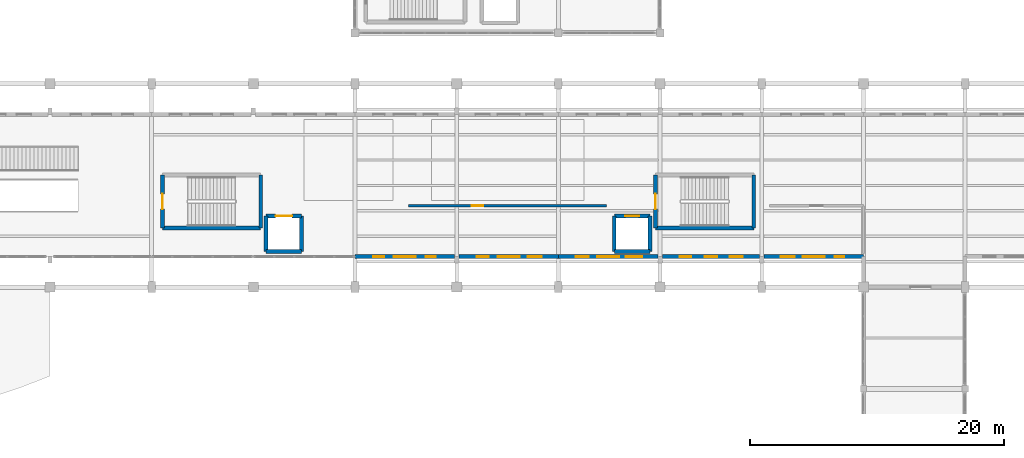
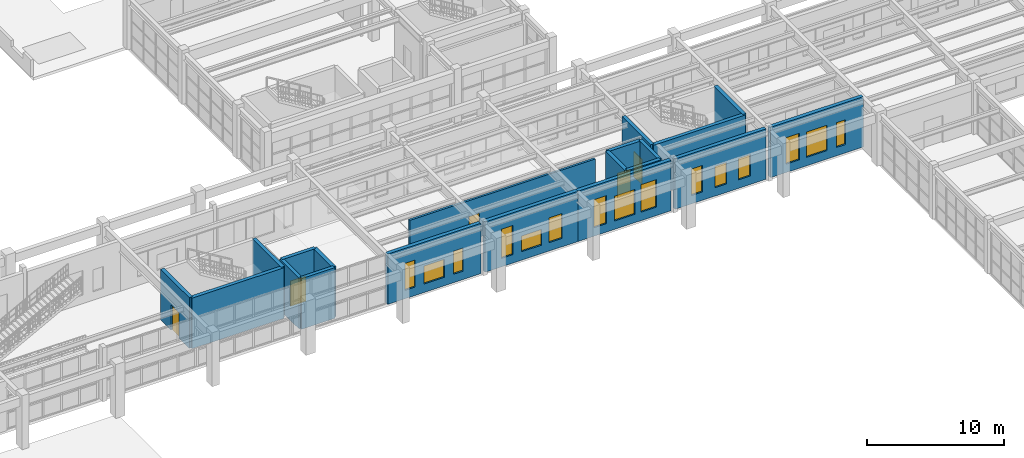
# One storey, part 41 of 59: 20 walls, 15 windows, 5 doors, 20 openings.
"""IFC4 building model written with IfcOpenShell, lengths in metres."""

from ifc_helpers import new_model, si_unit, direction, frame, frame_2d, origin, place, context, subcontext, project, spatial, rectangle, extrude, material, layer, layer_set, type_object, element, fill, save


model = new_model("IFC4")

# Units and contexts
model_context = context("Model", 3, precision=1e-05, world=origin(), true_north=direction((0.0, 1.0)))
body_context = subcontext(model_context, "Body", "Model", "MODEL_VIEW")
ifc_project = project(units=[si_unit("LENGTHUNIT", "METRE"), si_unit("AREAUNIT", "SQUARE_METRE"), si_unit("VOLUMEUNIT", "CUBIC_METRE"), si_unit("PLANEANGLEUNIT", "RADIAN"), si_unit("MASSUNIT", "GRAM", prefix="KILO")], contexts=[model_context])

# Site, building, storey
site_placement = place(None, origin())
site = spatial("IfcSite", under=ifc_project, at=site_placement, CompositionType="ELEMENT")
building_placement = place(site_placement, origin())
building = spatial("IfcBuilding", under=site, at=building_placement, Name="Serraluz Foothill Cableway Terminal", CompositionType="ELEMENT")
storey_placement = place(building_placement, frame((0.0, 0.0, 4.800048828125)))
storey = spatial("IfcBuildingStorey", under=building, at=storey_placement, Name="L01", CompositionType="ELEMENT", Elevation=4.800048828125)

# Wall, openings, windows
ifc_material_1 = material(Name="Dark clinker clay masonry brick (f'm 14 MPa)", Category="masonry")
ifc_layer_1 = layer(ifc_material_1, 0.320068359375, Name="Dark clinker clay masonry brick (f'm 14 MPa)", Category="masonry")
ifc_layer_set_1 = layer_set([ifc_layer_1], Name="Dark clinker clay masonry brick (f'm 14 MPa)")
wall_type_1 = type_object("IfcWallType", Name="TYP-WL-EXT-320", PredefinedType="STANDARD", material=ifc_layer_set_1)
wall_1_placement = place(storey_placement, frame((87.824951171875, 58.39990234375, 0.0), z_axis=(0.0, 0.0, 1.0), x_axis=(-1.0, 0.0, 0.0)))
wall_1 = element("IfcWall", 1, at=wall_1_placement, inside=storey, type_object=wall_type_1, Name="Exterior Masonry Wall EW-V1S-L01-80", PredefinedType="STANDARD", context=body_context, shape_type="SweptSolid", body=[
    extrude(rectangle(XDim=7.824951171875, YDim=0.320068359375, at=frame_2d((3.91259765625, 0.0))), origin(), (0.0, 0.0, 1.0), 4.474853515625),
])
opening_1_placement = place(wall_1_placement, frame((1.47802734375, 0.0, 0.75)))
opening_1 = element("IfcOpeningElement", 2, at=opening_1_placement, cuts=wall_1, Name="Opening W-36", PredefinedType="OPENING", context=body_context, shape_type="SweptSolid", body=[
    extrude(rectangle(XDim=0.800048828125, YDim=2.050048828125, at=frame_2d((0.39990234375, 1.02490234375))), frame((0.0, 0.169921875, 0.0), z_axis=(0.0, -1.0, 0.0), x_axis=(1.0, 0.0, 0.0)), (0.0, 0.0, 1.0), 0.340087890625),
])
opening_2_placement = place(wall_1_placement, frame((3.051513671875, 0.0, 0.75)))
opening_2 = element("IfcOpeningElement", 3, at=opening_2_placement, cuts=wall_1, Name="Opening W-13", PredefinedType="OPENING", context=body_context, shape_type="SweptSolid", body=[
    extrude(rectangle(XDim=1.721923828125, YDim=1.60009765625, at=frame_2d((0.86083984375, 0.800048828125))), frame((0.0, 0.169921875, 0.0), z_axis=(0.0, -1.0, 0.0), x_axis=(1.0, 0.0, 0.0)), (0.0, 0.0, 1.0), 0.340087890625),
])
opening_3_placement = place(wall_1_placement, frame((5.52197265625, 0.0, 0.75)))
opening_3 = element("IfcOpeningElement", 4, at=opening_3_placement, cuts=wall_1, Name="Opening W-02", PredefinedType="OPENING", context=body_context, shape_type="SweptSolid", body=[
    extrude(rectangle(XDim=0.85009765625, YDim=2.39990234375, at=frame_2d((0.425048828125, 1.199951171875))), frame((0.0, 0.169921875, 0.0), z_axis=(0.0, -1.0, 0.0), x_axis=(1.0, 0.0, 0.0)), (0.0, 0.0, 1.0), 0.340087890625),
])
ifc_material_2 = material(Name="Laminated low-E safety glass", Category="glass")
window_type_1 = type_object("IfcWindowType", Name="TYP-WN-080X205", PartitioningType="SINGLE_PANEL", PredefinedType="WINDOW", material=ifc_material_2)
window_1_placement = place(opening_1_placement, origin())
window_1 = element("IfcWindow", 5, at=window_1_placement, inside=storey, type_object=window_type_1, Name="Exterior Window EW-V1S-L01-80-WN1", OverallHeight=2.050048828125, OverallWidth=0.800048828125, PartitioningType="SINGLE_PANEL", PredefinedType="WINDOW", context=body_context, shape_type="SweptSolid", body=[
    extrude(rectangle(XDim=0.800048828125, YDim=2.050048828125, at=frame_2d((0.39990234375, 1.02490234375))), frame((0.0, 0.030029296875, 0.0), z_axis=(0.0, -1.0, 0.0), x_axis=(1.0, 0.0, 0.0)), (0.0, 0.0, 1.0), 0.06005859375),
])
fill(opening_1, window_1)
window_type_2 = type_object("IfcWindowType", Name="TYP-WN-085X240", PartitioningType="SINGLE_PANEL", PredefinedType="WINDOW", material=ifc_material_2)
window_2_placement = place(opening_3_placement, origin())
window_2 = element("IfcWindow", 6, at=window_2_placement, inside=storey, type_object=window_type_2, Name="Exterior Window EW-V1S-L01-80-WN3", OverallHeight=2.39990234375, OverallWidth=0.85009765625, PartitioningType="SINGLE_PANEL", PredefinedType="WINDOW", context=body_context, shape_type="SweptSolid", body=[
    extrude(rectangle(XDim=0.85009765625, YDim=2.39990234375, at=frame_2d((0.425048828125, 1.199951171875))), frame((0.0, 0.030029296875, 0.0), z_axis=(0.0, -1.0, 0.0), x_axis=(1.0, 0.0, 0.0)), (0.0, 0.0, 1.0), 0.06005859375),
])
fill(opening_3, window_2)
window_type_3 = type_object("IfcWindowType", Name="TYP-WN-240X160", PartitioningType="TRIPLE_PANEL_VERTICAL", PredefinedType="WINDOW", material=ifc_material_2)
window_3_placement = place(opening_2_placement, origin())
window_3 = element("IfcWindow", 7, at=window_3_placement, inside=storey, type_object=window_type_3, Name="Exterior Window EW-V1S-L01-80-WN2", OverallHeight=1.60009765625, OverallWidth=1.721923828125, PartitioningType="SINGLE_PANEL", PredefinedType="WINDOW", context=body_context, shape_type="SweptSolid", body=[
    extrude(rectangle(XDim=1.721923828125, YDim=1.60009765625, at=frame_2d((0.86083984375, 0.800048828125))), frame((0.0, 0.030029296875, 0.0), z_axis=(0.0, -1.0, 0.0), x_axis=(1.0, 0.0, 0.0)), (0.0, 0.0, 1.0), 0.06005859375),
])
fill(opening_2, window_3)

wall_2_placement = place(storey_placement, frame((96.0, 58.39990234375, 0.0), z_axis=(0.0, 0.0, 1.0), x_axis=(-1.0, 0.0, 0.0)))
wall_2 = element("IfcWall", 8, at=wall_2_placement, inside=storey, type_object=wall_type_1, Name="Exterior Masonry Wall EW-V1S-L01-88", PredefinedType="STANDARD", context=body_context, shape_type="SweptSolid", body=[
    extrude(rectangle(XDim=7.824951171875, YDim=0.320068359375, at=frame_2d((3.91259765625, 0.0))), origin(), (0.0, 0.0, 1.0), 4.474853515625),
])
opening_4_placement = place(wall_2_placement, frame((1.327880859375, 0.0, 0.75)))
opening_4 = element("IfcOpeningElement", 9, at=opening_4_placement, cuts=wall_2, Name="Opening W-04", PredefinedType="OPENING", context=body_context, shape_type="SweptSolid", body=[
    extrude(rectangle(XDim=1.10009765625, YDim=2.199951171875, at=frame_2d((0.550048828125, 1.10009765625))), frame((0.0, 0.169921875, 0.0), z_axis=(0.0, -1.0, 0.0), x_axis=(1.0, 0.0, 0.0)), (0.0, 0.0, 1.0), 0.340087890625),
])
opening_5_placement = place(wall_2_placement, frame((3.051513671875, 0.0, 0.75)))
opening_5 = element("IfcOpeningElement", 10, at=opening_5_placement, cuts=wall_2, Name="Opening W-16", PredefinedType="OPENING", context=body_context, shape_type="SweptSolid", body=[
    extrude(rectangle(XDim=1.721923828125, YDim=1.39990234375, at=frame_2d((0.86083984375, 0.699951171875))), frame((0.0, 0.169921875, 0.0), z_axis=(0.0, -1.0, 0.0), x_axis=(1.0, 0.0, 0.0)), (0.0, 0.0, 1.0), 0.340087890625),
])
opening_6_placement = place(wall_2_placement, frame((5.471923828125, 0.0, 0.75)))
opening_6 = element("IfcOpeningElement", 11, at=opening_6_placement, cuts=wall_2, Name="Opening W-03", PredefinedType="OPENING", context=body_context, shape_type="SweptSolid", body=[
    extrude(rectangle(XDim=0.949951171875, YDim=2.60009765625, at=frame_2d((0.47509765625, 1.300048828125))), frame((0.0, 0.169921875, 0.0), z_axis=(0.0, -1.0, 0.0), x_axis=(1.0, 0.0, 0.0)), (0.0, 0.0, 1.0), 0.340087890625),
])
window_type_4 = type_object("IfcWindowType", Name="TYP-WN-095X260", PartitioningType="SINGLE_PANEL", PredefinedType="WINDOW", material=ifc_material_2)
window_4_placement = place(opening_6_placement, origin())
window_4 = element("IfcWindow", 12, at=window_4_placement, inside=storey, type_object=window_type_4, Name="Exterior Window EW-V1S-L01-88-WN3", OverallHeight=2.60009765625, OverallWidth=0.949951171875, PartitioningType="SINGLE_PANEL", PredefinedType="WINDOW", context=body_context, shape_type="SweptSolid", body=[
    extrude(rectangle(XDim=0.949951171875, YDim=2.60009765625, at=frame_2d((0.47509765625, 1.300048828125))), frame((0.0, 0.030029296875, 0.0), z_axis=(0.0, -1.0, 0.0), x_axis=(1.0, 0.0, 0.0)), (0.0, 0.0, 1.0), 0.06005859375),
])
fill(opening_6, window_4)
window_type_5 = type_object("IfcWindowType", Name="TYP-WN-110X220", PartitioningType="SINGLE_PANEL", PredefinedType="WINDOW", material=ifc_material_2)
window_5_placement = place(opening_4_placement, origin())
window_5 = element("IfcWindow", 13, at=window_5_placement, inside=storey, type_object=window_type_5, Name="Exterior Window EW-V1S-L01-88-WN1", OverallHeight=2.199951171875, OverallWidth=1.10009765625, PartitioningType="SINGLE_PANEL", PredefinedType="WINDOW", context=body_context, shape_type="SweptSolid", body=[
    extrude(rectangle(XDim=1.10009765625, YDim=2.199951171875, at=frame_2d((0.550048828125, 1.10009765625))), frame((0.0, 0.030029296875, 0.0), z_axis=(0.0, -1.0, 0.0), x_axis=(1.0, 0.0, 0.0)), (0.0, 0.0, 1.0), 0.06005859375),
])
fill(opening_4, window_5)
window_type_6 = type_object("IfcWindowType", Name="TYP-WN-300X140", PartitioningType="TRIPLE_PANEL_VERTICAL", PredefinedType="WINDOW", material=ifc_material_2)
window_6_placement = place(opening_5_placement, origin())
window_6 = element("IfcWindow", 14, at=window_6_placement, inside=storey, type_object=window_type_6, Name="Exterior Window EW-V1S-L01-88-WN2", OverallHeight=1.39990234375, OverallWidth=1.721923828125, PartitioningType="SINGLE_PANEL", PredefinedType="WINDOW", context=body_context, shape_type="SweptSolid", body=[
    extrude(rectangle(XDim=1.721923828125, YDim=1.39990234375, at=frame_2d((0.86083984375, 0.699951171875))), frame((0.0, 0.030029296875, 0.0), z_axis=(0.0, -1.0, 0.0), x_axis=(1.0, 0.0, 0.0)), (0.0, 0.0, 1.0), 0.06005859375),
])
fill(opening_5, window_6)

wall_3_placement = place(storey_placement, frame((103.824951171875, 58.39990234375, 0.0), z_axis=(0.0, 0.0, 1.0), x_axis=(-1.0, 0.0, 0.0)))
wall_3 = element("IfcWall", 15, at=wall_3_placement, inside=storey, type_object=wall_type_1, Name="Exterior Masonry Wall EW-V1S-L01-96", PredefinedType="STANDARD", context=body_context, shape_type="SweptSolid", body=[
    extrude(rectangle(XDim=7.824951171875, YDim=0.320068359375, at=frame_2d((3.91259765625, 0.0))), origin(), (0.0, 0.0, 1.0), 4.474853515625),
])
opening_7_placement = place(wall_3_placement, frame((1.22802734375, 0.0, 0.75)))
opening_7 = element("IfcOpeningElement", 16, at=opening_7_placement, cuts=wall_3, Name="Opening W-40", PredefinedType="OPENING", context=body_context, shape_type="SweptSolid", body=[
    extrude(rectangle(XDim=1.300048828125, YDim=2.449951171875, at=frame_2d((0.64990234375, 1.22509765625))), frame((0.0, 0.169921875, 0.0), z_axis=(0.0, -1.0, 0.0), x_axis=(1.0, 0.0, 0.0)), (0.0, 0.0, 1.0), 0.340087890625),
])
opening_8_placement = place(wall_3_placement, frame((3.051513671875, 0.0, 0.75)))
opening_8 = element("IfcOpeningElement", 17, at=opening_8_placement, cuts=wall_3, Name="Opening W-20", PredefinedType="OPENING", context=body_context, shape_type="SweptSolid", body=[
    extrude(rectangle(XDim=1.721923828125, YDim=2.199951171875, at=frame_2d((0.86083984375, 1.10009765625))), frame((0.0, 0.169921875, 0.0), z_axis=(0.0, -1.0, 0.0), x_axis=(1.0, 0.0, 0.0)), (0.0, 0.0, 1.0), 0.340087890625),
])
opening_9_placement = place(wall_3_placement, frame((5.422119140625, 0.0, 0.75)))
opening_9 = element("IfcOpeningElement", 18, at=opening_9_placement, cuts=wall_3, Name="Opening W-38", PredefinedType="OPENING", context=body_context, shape_type="SweptSolid", body=[
    extrude(rectangle(XDim=1.050048828125, YDim=2.5, at=frame_2d((0.52490234375, 1.25))), frame((0.0, 0.169921875, 0.0), z_axis=(0.0, -1.0, 0.0), x_axis=(1.0, 0.0, 0.0)), (0.0, 0.0, 1.0), 0.340087890625),
])
window_type_7 = type_object("IfcWindowType", Name="TYP-WN-105X250", PartitioningType="SINGLE_PANEL", PredefinedType="WINDOW", material=ifc_material_2)
window_7_placement = place(opening_9_placement, origin())
window_7 = element("IfcWindow", 19, at=window_7_placement, inside=storey, type_object=window_type_7, Name="Exterior Window EW-V1S-L01-96-WN3", OverallHeight=2.5, OverallWidth=1.050048828125, PartitioningType="SINGLE_PANEL", PredefinedType="WINDOW", context=body_context, shape_type="SweptSolid", body=[
    extrude(rectangle(XDim=1.050048828125, YDim=2.5, at=frame_2d((0.52490234375, 1.25))), frame((0.0, 0.030029296875, 0.0), z_axis=(0.0, -1.0, 0.0), x_axis=(1.0, 0.0, 0.0)), (0.0, 0.0, 1.0), 0.06005859375),
])
fill(opening_9, window_7)
window_type_8 = type_object("IfcWindowType", Name="TYP-WN-130X245", PartitioningType="DOUBLE_PANEL_VERTICAL", PredefinedType="WINDOW", material=ifc_material_2)
window_8_placement = place(opening_7_placement, origin())
window_8 = element("IfcWindow", 20, at=window_8_placement, inside=storey, type_object=window_type_8, Name="Exterior Window EW-V1S-L01-96-WN1", OverallHeight=2.449951171875, OverallWidth=1.300048828125, PartitioningType="SINGLE_PANEL", PredefinedType="WINDOW", context=body_context, shape_type="SweptSolid", body=[
    extrude(rectangle(XDim=1.300048828125, YDim=2.449951171875, at=frame_2d((0.64990234375, 1.22509765625))), frame((0.0, 0.030029296875, 0.0), z_axis=(0.0, -1.0, 0.0), x_axis=(1.0, 0.0, 0.0)), (0.0, 0.0, 1.0), 0.06005859375),
])
fill(opening_7, window_8)
window_type_9 = type_object("IfcWindowType", Name="TYP-WN-360X220", PartitioningType="TRIPLE_PANEL_VERTICAL", PredefinedType="WINDOW", material=ifc_material_2)
window_9_placement = place(opening_8_placement, origin())
window_9 = element("IfcWindow", 21, at=window_9_placement, inside=storey, type_object=window_type_9, Name="Exterior Window EW-V1S-L01-96-WN2", OverallHeight=2.199951171875, OverallWidth=1.721923828125, PartitioningType="SINGLE_PANEL", PredefinedType="WINDOW", context=body_context, shape_type="SweptSolid", body=[
    extrude(rectangle(XDim=1.721923828125, YDim=2.199951171875, at=frame_2d((0.86083984375, 1.10009765625))), frame((0.0, 0.030029296875, 0.0), z_axis=(0.0, -1.0, 0.0), x_axis=(1.0, 0.0, 0.0)), (0.0, 0.0, 1.0), 0.06005859375),
])
fill(opening_8, window_9)

wall_4_placement = place(storey_placement, frame((111.824951171875, 58.39990234375, 0.0), z_axis=(0.0, 0.0, 1.0), x_axis=(-1.0, 0.0, 0.0)))
wall_4 = element("IfcWall", 22, at=wall_4_placement, inside=storey, type_object=wall_type_1, Name="Exterior Masonry Wall EW-V1S-L01-104", PredefinedType="STANDARD", context=body_context, shape_type="SweptSolid", body=[
    extrude(rectangle(XDim=7.64990234375, YDim=0.320068359375, at=frame_2d((3.824951171875, 0.0))), origin(), (0.0, 0.0, 1.0), 4.474853515625),
])
opening_10_placement = place(wall_4_placement, frame((1.3359375, 0.0, 0.75)))
opening_10 = element("IfcOpeningElement", 23, at=opening_10_placement, cuts=wall_4, Name="Opening W-24", PredefinedType="OPENING", context=body_context, shape_type="SweptSolid", body=[
    extrude(rectangle(XDim=1.0, YDim=1.89990234375, at=frame_2d((0.5, 0.949951171875))), frame((0.0, 0.169921875, 0.0), z_axis=(0.0, -1.0, 0.0), x_axis=(1.0, 0.0, 0.0)), (0.0, 0.0, 1.0), 0.340087890625),
])
opening_11_placement = place(wall_4_placement, frame((3.324951171875, 0.0, 0.75)))
opening_11 = element("IfcOpeningElement", 24, at=opening_11_placement, cuts=wall_4, Name="Opening W-24", PredefinedType="OPENING", context=body_context, shape_type="SweptSolid", body=[
    extrude(rectangle(XDim=1.0, YDim=1.89990234375, at=frame_2d((0.5, 0.949951171875))), frame((0.0, 0.169921875, 0.0), z_axis=(0.0, -1.0, 0.0), x_axis=(1.0, 0.0, 0.0)), (0.0, 0.0, 1.0), 0.340087890625),
])
opening_12_placement = place(wall_4_placement, frame((5.364013671875, 0.0, 0.75)))
opening_12 = element("IfcOpeningElement", 25, at=opening_12_placement, cuts=wall_4, Name="Opening W-37", PredefinedType="OPENING", context=body_context, shape_type="SweptSolid", body=[
    extrude(rectangle(XDim=0.89990234375, YDim=2.35009765625, at=frame_2d((0.449951171875, 1.175048828125))), frame((0.0, 0.169921875, 0.0), z_axis=(0.0, -1.0, 0.0), x_axis=(1.0, 0.0, 0.0)), (0.0, 0.0, 1.0), 0.340087890625),
])
window_type_10 = type_object("IfcWindowType", Name="TYP-WN-090X235", PartitioningType="SINGLE_PANEL", PredefinedType="WINDOW", material=ifc_material_2)
window_10_placement = place(opening_12_placement, origin())
window_10 = element("IfcWindow", 26, at=window_10_placement, inside=storey, type_object=window_type_10, Name="Exterior Window EW-V1S-L01-104-WN3", OverallHeight=2.35009765625, OverallWidth=0.89990234375, PartitioningType="SINGLE_PANEL", PredefinedType="WINDOW", context=body_context, shape_type="SweptSolid", body=[
    extrude(rectangle(XDim=0.89990234375, YDim=2.35009765625, at=frame_2d((0.449951171875, 1.175048828125))), frame((0.0, 0.030029296875, 0.0), z_axis=(0.0, -1.0, 0.0), x_axis=(1.0, 0.0, 0.0)), (0.0, 0.0, 1.0), 0.06005859375),
])
fill(opening_12, window_10)
window_type_11 = type_object("IfcWindowType", Name="TYP-WN-100X190", PartitioningType="SINGLE_PANEL", PredefinedType="WINDOW", material=ifc_material_2)
window_11_placement = place(opening_10_placement, origin())
window_11 = element("IfcWindow", 27, at=window_11_placement, inside=storey, type_object=window_type_11, Name="Exterior Window EW-V1S-L01-104-WN1", OverallHeight=1.89990234375, OverallWidth=1.0, PartitioningType="SINGLE_PANEL", PredefinedType="WINDOW", context=body_context, shape_type="SweptSolid", body=[
    extrude(rectangle(XDim=1.0, YDim=1.89990234375, at=frame_2d((0.5, 0.949951171875))), frame((0.0, 0.030029296875, 0.0), z_axis=(0.0, -1.0, 0.0), x_axis=(1.0, 0.0, 0.0)), (0.0, 0.0, 1.0), 0.06005859375),
])
fill(opening_10, window_11)
window_12_placement = place(opening_11_placement, origin())
window_12 = element("IfcWindow", 28, at=window_12_placement, inside=storey, type_object=window_type_11, Name="Exterior Window EW-V1S-L01-104-WN2", OverallHeight=1.89990234375, OverallWidth=1.0, PartitioningType="SINGLE_PANEL", PredefinedType="WINDOW", context=body_context, shape_type="SweptSolid", body=[
    extrude(rectangle(XDim=1.0, YDim=1.89990234375, at=frame_2d((0.5, 0.949951171875))), frame((0.0, 0.030029296875, 0.0), z_axis=(0.0, -1.0, 0.0), x_axis=(1.0, 0.0, 0.0)), (0.0, 0.0, 1.0), 0.06005859375),
])
fill(opening_11, window_12)

wall_5_placement = place(storey_placement, frame((120.0, 58.39990234375, 0.0), z_axis=(0.0, 0.0, 1.0), x_axis=(-1.0, 0.0, 0.0)))
wall_5 = element("IfcWall", 29, at=wall_5_placement, inside=storey, type_object=wall_type_1, Name="Exterior Masonry Wall EW-V1S-L01-112", PredefinedType="STANDARD", context=body_context, shape_type="SweptSolid", body=[
    extrude(rectangle(XDim=7.824951171875, YDim=0.320068359375, at=frame_2d((3.91259765625, 0.0))), origin(), (0.0, 0.0, 1.0), 4.474853515625),
])
opening_13_placement = place(wall_5_placement, frame((1.5029296875, 0.0, 0.75)))
opening_13 = element("IfcOpeningElement", 30, at=opening_13_placement, cuts=wall_5, Name="Opening W-01", PredefinedType="OPENING", context=body_context, shape_type="SweptSolid", body=[
    extrude(rectangle(XDim=0.75, YDim=2.199951171875, at=frame_2d((0.375, 1.10009765625))), frame((0.0, 0.169921875, 0.0), z_axis=(0.0, -1.0, 0.0), x_axis=(1.0, 0.0, 0.0)), (0.0, 0.0, 1.0), 0.340087890625),
])
opening_14_placement = place(wall_5_placement, frame((3.051513671875, 0.0, 0.75)))
opening_14 = element("IfcOpeningElement", 31, at=opening_14_placement, cuts=wall_5, Name="Opening W-28", PredefinedType="OPENING", context=body_context, shape_type="SweptSolid", body=[
    extrude(rectangle(XDim=1.721923828125, YDim=2.25, at=frame_2d((0.86083984375, 1.125))), frame((0.0, 0.169921875, 0.0), z_axis=(0.0, -1.0, 0.0), x_axis=(1.0, 0.0, 0.0)), (0.0, 0.0, 1.0), 0.340087890625),
])
opening_15_placement = place(wall_5_placement, frame((5.386962890625, 0.0, 0.75)))
opening_15 = element("IfcOpeningElement", 32, at=opening_15_placement, cuts=wall_5, Name="Opening W-50", PredefinedType="OPENING", context=body_context, shape_type="SweptSolid", body=[
    extrude(rectangle(XDim=1.1201171875, YDim=2.35009765625, at=frame_2d((0.56005859375, 1.175048828125))), frame((0.0, 0.169921875, 0.0), z_axis=(0.0, -1.0, 0.0), x_axis=(1.0, 0.0, 0.0)), (0.0, 0.0, 1.0), 0.340087890625),
])
window_type_12 = type_object("IfcWindowType", Name="TYP-WN-075X220", PartitioningType="SINGLE_PANEL", PredefinedType="WINDOW", material=ifc_material_2)
window_13_placement = place(opening_13_placement, origin())
window_13 = element("IfcWindow", 33, at=window_13_placement, inside=storey, type_object=window_type_12, Name="Exterior Window EW-V1S-L01-112-WN1", OverallHeight=2.199951171875, OverallWidth=0.75, PartitioningType="SINGLE_PANEL", PredefinedType="WINDOW", context=body_context, shape_type="SweptSolid", body=[
    extrude(rectangle(XDim=0.75, YDim=2.199951171875, at=frame_2d((0.375, 1.10009765625))), frame((0.0, 0.030029296875, 0.0), z_axis=(0.0, -1.0, 0.0), x_axis=(1.0, 0.0, 0.0)), (0.0, 0.0, 1.0), 0.06005859375),
])
fill(opening_13, window_13)
window_type_13 = type_object("IfcWindowType", Name="TYP-WN-112X235", PartitioningType="SINGLE_PANEL", PredefinedType="WINDOW", material=ifc_material_2)
window_14_placement = place(opening_15_placement, origin())
window_14 = element("IfcWindow", 34, at=window_14_placement, inside=storey, type_object=window_type_13, Name="Exterior Window EW-V1S-L01-112-WN3", OverallHeight=2.35009765625, OverallWidth=1.1201171875, PartitioningType="SINGLE_PANEL", PredefinedType="WINDOW", context=body_context, shape_type="SweptSolid", body=[
    extrude(rectangle(XDim=1.1201171875, YDim=2.35009765625, at=frame_2d((0.56005859375, 1.175048828125))), frame((0.0, 0.030029296875, 0.0), z_axis=(0.0, -1.0, 0.0), x_axis=(1.0, 0.0, 0.0)), (0.0, 0.0, 1.0), 0.06005859375),
])
fill(opening_15, window_14)
window_type_14 = type_object("IfcWindowType", Name="TYP-WN-195X225", PartitioningType="DOUBLE_PANEL_VERTICAL", PredefinedType="WINDOW", material=ifc_material_2)
window_15_placement = place(opening_14_placement, origin())
window_15 = element("IfcWindow", 35, at=window_15_placement, inside=storey, type_object=window_type_14, Name="Exterior Window EW-V1S-L01-112-WN2", OverallHeight=2.25, OverallWidth=1.721923828125, PartitioningType="SINGLE_PANEL", PredefinedType="WINDOW", context=body_context, shape_type="SweptSolid", body=[
    extrude(rectangle(XDim=1.721923828125, YDim=2.25, at=frame_2d((0.86083984375, 1.125))), frame((0.0, 0.030029296875, 0.0), z_axis=(0.0, -1.0, 0.0), x_axis=(1.0, 0.0, 0.0)), (0.0, 0.0, 1.0), 0.06005859375),
])
fill(opening_14, window_15)

# Wall, opening, door
ifc_material_3 = material(Name="Fired clay masonry brick (f'm 12 MPa)", Category="masonry")
ifc_layer_2 = layer(ifc_material_3, 0.179931640625, Name="Fired clay masonry brick (f'm 12 MPa)", Category="masonry")
ifc_layer_set_2 = layer_set([ifc_layer_2], Name="Fired clay masonry brick (f'm 12 MPa)")
wall_type_2 = type_object("IfcWallType", Name="TYP-WL-PRT-180", PredefinedType="PARTITIONING", material=ifc_layer_set_2)
wall_6_placement = place(storey_placement, frame((84.199951171875, 62.39990234375, 0.0), z_axis=(0.0, 0.0, 1.0), x_axis=(1.0, 0.0, 0.0)))
wall_6 = element("IfcWall", 36, at=wall_6_placement, inside=storey, type_object=wall_type_2, Name="Interior Partition PT-L01-02", PredefinedType="PARTITIONING", context=body_context, shape_type="SweptSolid", body=[
    extrude(rectangle(XDim=15.60009765625, YDim=0.179931640625, at=frame_2d((7.800048828125, 0.0))), origin(), (0.0, 0.0, 1.0), 3.5400390625),
])
opening_16_placement = place(wall_6_placement, frame((5.0, 0.0, 0.0)))
opening_16 = element("IfcOpeningElement", 37, at=opening_16_placement, cuts=wall_6, Name="Opening DI-07", PredefinedType="OPENING", context=body_context, shape_type="SweptSolid", body=[
    extrude(rectangle(XDim=0.8798828125, YDim=2.1201171875, at=frame_2d((0.43994140625, 1.06005859375))), frame((0.0, 0.10009765625, 0.0), z_axis=(0.0, -1.0, 0.0), x_axis=(1.0, 0.0, 0.0)), (0.0, 0.0, 1.0), 0.199951171875),
])
ifc_material_4 = material(Name="Kiln-dried Andean oak hardwood", Category="wood")
door_type_1 = type_object("IfcDoorType", Name="TYP-DR-SGL-880", OperationType="NOTDEFINED", PredefinedType="DOOR", material=ifc_material_4)
door_1_placement = place(opening_16_placement, origin())
door_1 = element("IfcDoor", 38, at=door_1_placement, inside=storey, type_object=door_type_1, Name="Interior Door PT-L01-02-DR1", OperationType="SINGLE_SWING_LEFT", OverallHeight=2.1201171875, OverallWidth=0.8798828125, PredefinedType="DOOR", context=body_context, shape_type="SweptSolid", body=[
    extrude(rectangle(XDim=0.8798828125, YDim=2.1201171875, at=frame_2d((0.43994140625, 1.06005859375))), frame((0.0, 0.02490234375, 0.0), z_axis=(0.0, -1.0, 0.0), x_axis=(1.0, 0.0, 0.0)), (0.0, 0.0, 1.0), 0.050048828125),
])
fill(opening_16, door_1)

# Wall
ifc_material_5 = material(Name="Concrete C35/45 (f'c 35 MPa)", Category="concrete")
ifc_layer_3 = layer(ifc_material_5, 0.300048828125, Name="Concrete C35/45 (f'c 35 MPa)", Category="concrete")
ifc_layer_set_3 = layer_set([ifc_layer_3], Name="Concrete C35/45 (f'c 35 MPa)")
wall_type_3 = type_object("IfcWallType", Name="TYP-WL-SHR-350", PredefinedType="SHEAR", material=ifc_layer_set_3)
wall_7_placement = place(storey_placement, frame((72.574951171875, 60.64990234375, 0.0), z_axis=(0.0, 0.0, 1.0), x_axis=(-1.0, 0.0, 0.0)))
element("IfcWall", 39, at=wall_7_placement, inside=storey, type_object=wall_type_3, Name="Stair Core Shear Wall CW-ST-03-L01-S", PredefinedType="SHEAR", context=body_context, shape_type="SweptSolid", body=[
    extrude(rectangle(XDim=7.724853515625, YDim=0.300048828125, at=frame_2d((3.8623046875, 0.0))), origin(), (0.0, 0.0, 1.0), 4.5),
])

# Wall, opening, door
wall_8_placement = place(storey_placement, frame((64.85009765625, 60.64990234375, 0.0), z_axis=(0.0, 0.0, 1.0), x_axis=(0.0, 1.0, 0.0)))
wall_8 = element("IfcWall", 40, at=wall_8_placement, inside=storey, type_object=wall_type_3, Name="Stair Core Shear Wall CW-ST-03-L01-W", PredefinedType="SHEAR", context=body_context, shape_type="SweptSolid", body=[
    extrude(rectangle(XDim=4.18017578125, YDim=0.300048828125, at=frame_2d((2.090087890625, 0.0))), origin(), (0.0, 0.0, 1.0), 4.5),
])
opening_17_placement = place(wall_8_placement, frame((1.489990234375, 0.0, 0.0)))
opening_17 = element("IfcOpeningElement", 41, at=opening_17_placement, cuts=wall_8, Name="Opening DF-08", PredefinedType="OPENING", context=body_context, shape_type="SweptSolid", body=[
    extrude(rectangle(XDim=1.199951171875, YDim=2.25, at=frame_2d((0.60009765625, 1.125))), frame((0.0, 0.16015625, 0.0), z_axis=(0.0, -1.0, 0.0), x_axis=(1.0, 0.0, 0.0)), (0.0, 0.0, 1.0), 0.320068359375),
])
ifc_material_6 = material(Name="Galvanized hollow-metal steel sheet", Category="steel")
door_type_2 = type_object("IfcDoorType", Name="TYP-DR-FD60-1200", OperationType="NOTDEFINED", PredefinedType="DOOR", material=ifc_material_6)
door_2_placement = place(opening_17_placement, origin())
door_2 = element("IfcDoor", 42, at=door_2_placement, inside=storey, type_object=door_type_2, Name="Exit Stair Fire Door ST-03 L01", OperationType="SINGLE_SWING_LEFT", OverallHeight=2.25, OverallWidth=1.199951171875, PredefinedType="DOOR", context=body_context, shape_type="SweptSolid", body=[
    extrude(rectangle(XDim=1.199951171875, YDim=2.25, at=frame_2d((0.60009765625, 1.125))), frame((0.0, 0.02490234375, 0.0), z_axis=(0.0, -1.0, 0.0), x_axis=(1.0, 0.0, 0.0)), (0.0, 0.0, 1.0), 0.050048828125),
])
fill(opening_17, door_2)

# Walls
wall_9_placement = place(storey_placement, frame((72.574951171875, 64.830078125, 0.0), z_axis=(0.0, 0.0, 1.0), x_axis=(0.0, -1.0, 0.0)))
element("IfcWall", 43, at=wall_9_placement, inside=storey, type_object=wall_type_3, Name="Stair Core Shear Wall CW-ST-03-L01-E", PredefinedType="SHEAR", context=body_context, shape_type="SweptSolid", body=[
    extrude(rectangle(XDim=4.18017578125, YDim=0.300048828125, at=frame_2d((2.090087890625, 0.0))), origin(), (0.0, 0.0, 1.0), 4.5),
])
wall_10_placement = place(storey_placement, frame((111.375, 60.64990234375, 0.0), z_axis=(0.0, 0.0, 1.0), x_axis=(-1.0, 0.0, 0.0)))
element("IfcWall", 44, at=wall_10_placement, inside=storey, type_object=wall_type_3, Name="Stair Core Shear Wall CW-ST-04-L01-S", PredefinedType="SHEAR", context=body_context, shape_type="SweptSolid", body=[
    extrude(rectangle(XDim=7.72509765625, YDim=0.300048828125, at=frame_2d((3.862548828125, 0.0))), origin(), (0.0, 0.0, 1.0), 4.5),
])

# Wall, opening, door
wall_11_placement = place(storey_placement, frame((103.64990234375, 60.64990234375, 0.0), z_axis=(0.0, 0.0, 1.0), x_axis=(0.0, 1.0, 0.0)))
wall_11 = element("IfcWall", 45, at=wall_11_placement, inside=storey, type_object=wall_type_3, Name="Stair Core Shear Wall CW-ST-04-L01-W", PredefinedType="SHEAR", context=body_context, shape_type="SweptSolid", body=[
    extrude(rectangle(XDim=4.18017578125, YDim=0.300048828125, at=frame_2d((2.090087890625, 0.0))), origin(), (0.0, 0.0, 1.0), 4.5),
])
opening_18_placement = place(wall_11_placement, frame((1.489990234375, 0.0, 0.0)))
opening_18 = element("IfcOpeningElement", 46, at=opening_18_placement, cuts=wall_11, Name="Opening DF-08", PredefinedType="OPENING", context=body_context, shape_type="SweptSolid", body=[
    extrude(rectangle(XDim=1.199951171875, YDim=2.25, at=frame_2d((0.60009765625, 1.125))), frame((0.0, 0.16015625, 0.0), z_axis=(0.0, -1.0, 0.0), x_axis=(1.0, 0.0, 0.0)), (0.0, 0.0, 1.0), 0.320068359375),
])
door_3_placement = place(opening_18_placement, origin())
door_3 = element("IfcDoor", 47, at=door_3_placement, inside=storey, type_object=door_type_2, Name="Exit Stair Fire Door ST-04 L01", OperationType="SINGLE_SWING_RIGHT", OverallHeight=2.25, OverallWidth=1.199951171875, PredefinedType="DOOR", context=body_context, shape_type="SweptSolid", body=[
    extrude(rectangle(XDim=1.199951171875, YDim=2.25, at=frame_2d((0.60009765625, 1.125))), frame((0.0, 0.02490234375, 0.0), z_axis=(0.0, -1.0, 0.0), x_axis=(1.0, 0.0, 0.0)), (0.0, 0.0, 1.0), 0.050048828125),
])
fill(opening_18, door_3)

# Walls
wall_12_placement = place(storey_placement, frame((111.375, 64.830078125, 0.0), z_axis=(0.0, 0.0, 1.0), x_axis=(0.0, -1.0, 0.0)))
element("IfcWall", 48, at=wall_12_placement, inside=storey, type_object=wall_type_3, Name="Stair Core Shear Wall CW-ST-04-L01-E", PredefinedType="SHEAR", context=body_context, shape_type="SweptSolid", body=[
    extrude(rectangle(XDim=4.18017578125, YDim=0.300048828125, at=frame_2d((2.090087890625, 0.0))), origin(), (0.0, 0.0, 1.0), 4.5),
])
for number, where, z_axis, x_axis, name in (
    (49, (75.800048828125, 58.800048828125, 0.0), (0.0, 0.0, 1.0), (-1.0, 0.0, 0.0), "Lift Shaft Shear Wall LW-LF-03-L01-S"),
    (50, (73.0, 58.800048828125, 0.0), (0.0, 0.0, 1.0), (0.0, 1.0, 0.0), "Lift Shaft Shear Wall LW-LF-03-L01-W"),
):
    element("IfcWall", number, at=place(storey_placement, frame(where, z_axis=z_axis, x_axis=x_axis)), inside=storey, type_object=wall_type_3, Name=name, PredefinedType="SHEAR", context=body_context, shape_type="SweptSolid", body=[
        extrude(rectangle(XDim=2.800048828125, YDim=0.300048828125, at=frame_2d((1.39990234375, 0.0))), origin(), (0.0, 0.0, 1.0), 4.5),
    ])

# Wall, opening, door
wall_13_placement = place(storey_placement, frame((73.0, 61.60009765625, 0.0), z_axis=(0.0, 0.0, 1.0), x_axis=(1.0, 0.0, 0.0)))
wall_13 = element("IfcWall", 51, at=wall_13_placement, inside=storey, type_object=wall_type_3, Name="Lift Shaft Shear Wall LW-LF-03-L01-N", PredefinedType="SHEAR", context=body_context, shape_type="SweptSolid", body=[
    extrude(rectangle(XDim=2.800048828125, YDim=0.300048828125, at=frame_2d((1.39990234375, 0.0))), origin(), (0.0, 0.0, 1.0), 4.5),
])
opening_19_placement = place(wall_13_placement, frame((0.75, 0.0, 0.0)))
opening_19 = element("IfcOpeningElement", 52, at=opening_19_placement, cuts=wall_13, Name="Opening LD-02", PredefinedType="OPENING", context=body_context, shape_type="SweptSolid", body=[
    extrude(rectangle(XDim=1.300048828125, YDim=2.25, at=frame_2d((0.64990234375, 1.125))), frame((0.0, 0.16015625, 0.0), z_axis=(0.0, -1.0, 0.0), x_axis=(1.0, 0.0, 0.0)), (0.0, 0.0, 1.0), 0.320068359375),
])
door_type_3 = type_object("IfcDoorType", Name="TYP-DR-LD-1300", OperationType="DOUBLE_DOOR_SLIDING", PredefinedType="DOOR", material=ifc_material_6)
door_4_placement = place(opening_19_placement, origin())
door_4 = element("IfcDoor", 53, at=door_4_placement, inside=storey, type_object=door_type_3, Name="Lift Sliding Landing Door LF-03 L01", OperationType="DOUBLE_DOOR_SLIDING", OverallHeight=2.25, OverallWidth=1.300048828125, PredefinedType="DOOR", context=body_context, shape_type="SweptSolid", body=[
    extrude(rectangle(XDim=1.300048828125, YDim=2.25, at=frame_2d((0.64990234375, 1.125))), frame((0.0, 0.02490234375, 0.0), z_axis=(0.0, -1.0, 0.0), x_axis=(1.0, 0.0, 0.0)), (0.0, 0.0, 1.0), 0.050048828125),
])
fill(opening_19, door_4)

# Walls
for number, where, z_axis, x_axis, name in (
    (54, (75.800048828125, 61.60009765625, 0.0), (0.0, 0.0, 1.0), (0.0, -1.0, 0.0), "Lift Shaft Shear Wall LW-LF-03-L01-E"),
    (55, (103.199951171875, 58.800048828125, 0.0), (0.0, 0.0, 1.0), (-1.0, 0.0, 0.0), "Lift Shaft Shear Wall LW-LF-04-L01-S"),
    (56, (100.39990234375, 58.800048828125, 0.0), (0.0, 0.0, 1.0), (0.0, 1.0, 0.0), "Lift Shaft Shear Wall LW-LF-04-L01-W"),
):
    element("IfcWall", number, at=place(storey_placement, frame(where, z_axis=z_axis, x_axis=x_axis)), inside=storey, type_object=wall_type_3, Name=name, PredefinedType="SHEAR", context=body_context, shape_type="SweptSolid", body=[
        extrude(rectangle(XDim=2.800048828125, YDim=0.300048828125, at=frame_2d((1.39990234375, 0.0))), origin(), (0.0, 0.0, 1.0), 4.5),
    ])

# Wall, opening, door
wall_14_placement = place(storey_placement, frame((100.39990234375, 61.60009765625, 0.0), z_axis=(0.0, 0.0, 1.0), x_axis=(1.0, 0.0, 0.0)))
wall_14 = element("IfcWall", 57, at=wall_14_placement, inside=storey, type_object=wall_type_3, Name="Lift Shaft Shear Wall LW-LF-04-L01-N", PredefinedType="SHEAR", context=body_context, shape_type="SweptSolid", body=[
    extrude(rectangle(XDim=2.800048828125, YDim=0.300048828125, at=frame_2d((1.39990234375, 0.0))), origin(), (0.0, 0.0, 1.0), 4.5),
])
opening_20_placement = place(wall_14_placement, frame((0.85009765625, 0.0, 0.0)))
opening_20 = element("IfcOpeningElement", 58, at=opening_20_placement, cuts=wall_14, Name="Opening LD-01", PredefinedType="OPENING", context=body_context, shape_type="SweptSolid", body=[
    extrude(rectangle(XDim=1.10009765625, YDim=2.199951171875, at=frame_2d((0.550048828125, 1.10009765625))), frame((0.0, 0.16015625, 0.0), z_axis=(0.0, -1.0, 0.0), x_axis=(1.0, 0.0, 0.0)), (0.0, 0.0, 1.0), 0.320068359375),
])
door_type_4 = type_object("IfcDoorType", Name="TYP-DR-LD-1100", OperationType="DOUBLE_DOOR_SLIDING", PredefinedType="DOOR", material=ifc_material_6)
door_5_placement = place(opening_20_placement, origin())
door_5 = element("IfcDoor", 59, at=door_5_placement, inside=storey, type_object=door_type_4, Name="Lift Sliding Landing Door LF-04 L01", OperationType="DOUBLE_DOOR_SLIDING", OverallHeight=2.199951171875, OverallWidth=1.10009765625, PredefinedType="DOOR", context=body_context, shape_type="SweptSolid", body=[
    extrude(rectangle(XDim=1.10009765625, YDim=2.199951171875, at=frame_2d((0.550048828125, 1.10009765625))), frame((0.0, 0.02490234375, 0.0), z_axis=(0.0, -1.0, 0.0), x_axis=(1.0, 0.0, 0.0)), (0.0, 0.0, 1.0), 0.050048828125),
])
fill(opening_20, door_5)

# Wall
wall_15_placement = place(storey_placement, frame((103.199951171875, 61.60009765625, 0.0), z_axis=(0.0, 0.0, 1.0), x_axis=(0.0, -1.0, 0.0)))
element("IfcWall", 60, at=wall_15_placement, inside=storey, type_object=wall_type_3, Name="Lift Shaft Shear Wall LW-LF-04-L01-E", PredefinedType="SHEAR", context=body_context, shape_type="SweptSolid", body=[
    extrude(rectangle(XDim=2.800048828125, YDim=0.300048828125, at=frame_2d((1.39990234375, 0.0))), origin(), (0.0, 0.0, 1.0), 4.5),
])

save(model, "model.ifc")
